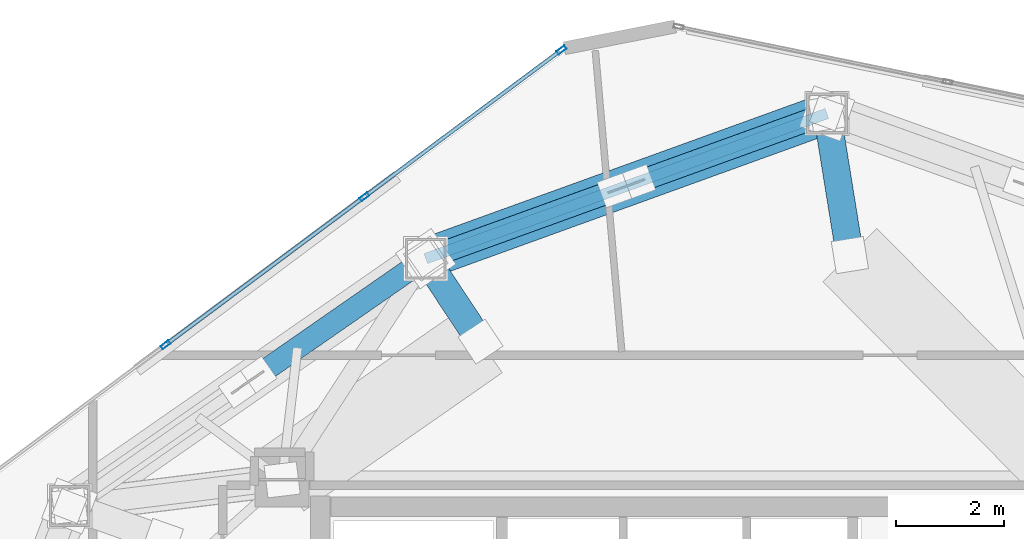
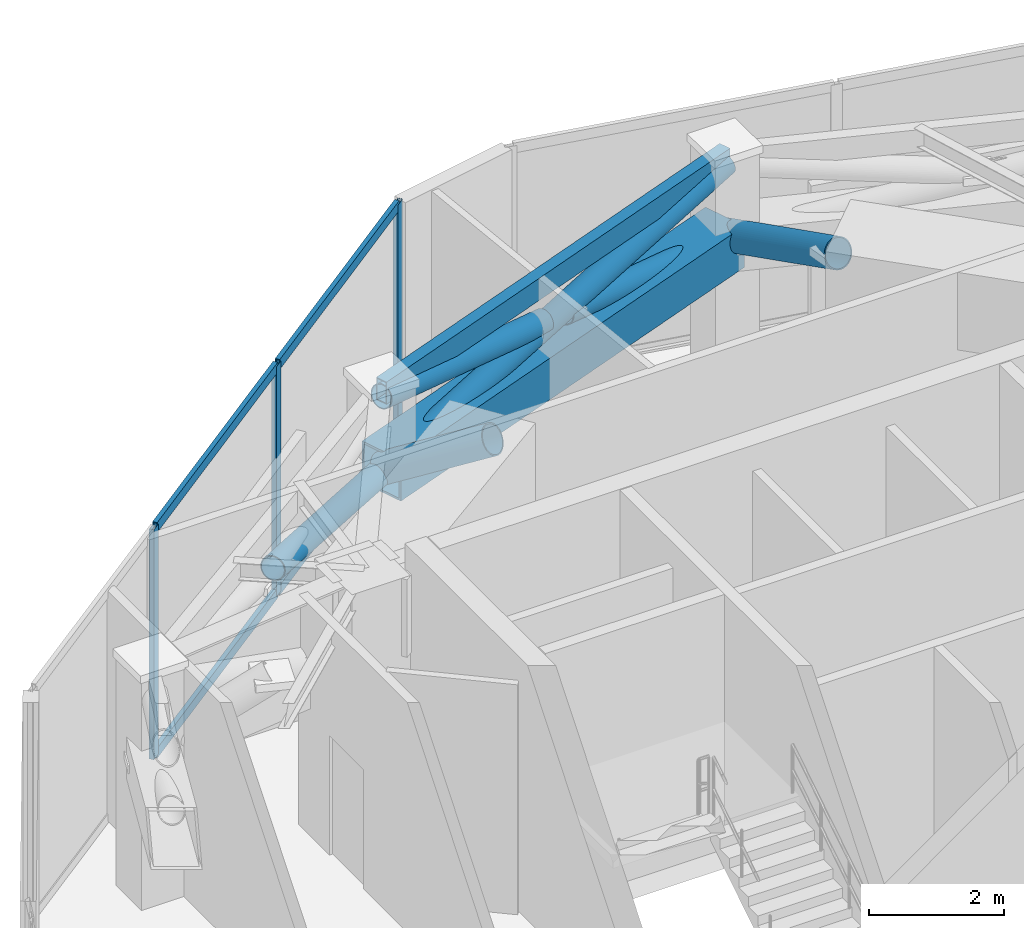
# One storey, part 12 of 19: 14 members, 1 beam, 1 element without a shape of its own.
"""IFC4 building model written with IfcOpenShell, lengths in metres."""

from ifc_helpers import new_model, si_unit, direction, frame, origin, origin_2d, place, context, subcontext, project, spatial, hollow_rectangle, hollow_circle, extrude, source, transform, mapped, material, layer, layer_set, material_profile, profile_set, type_object, type_shapes, element, aggregate, save


model = new_model("IFC4")

# Units and contexts
model_context = context("Model", 3, precision=1e-05, world=origin(), true_north=direction((0.0, 1.0)))
body_context = subcontext(model_context, "Body", "Model", "MODEL_VIEW")
ifc_project = project(units=[si_unit("LENGTHUNIT", "METRE"), si_unit("AREAUNIT", "SQUARE_METRE"), si_unit("VOLUMEUNIT", "CUBIC_METRE"), si_unit("PLANEANGLEUNIT", "RADIAN"), si_unit("MASSUNIT", "GRAM", prefix="KILO")], contexts=[model_context])

# Site, building, storey
site_placement = place(None, origin())
site = spatial("IfcSite", under=ifc_project, at=site_placement, CompositionType="ELEMENT")
building_placement = place(site_placement, origin())
building = spatial("IfcBuilding", under=site, at=building_placement, Name="Talar Marvaseh", CompositionType="ELEMENT")
storey_placement = place(building_placement, frame((0.0, 0.0, 236.199951171875)))
storey = spatial("IfcBuildingStorey", under=building, at=storey_placement, Name="L62", CompositionType="ELEMENT", Elevation=236.199951171875)

# Beam
ifc_material_1 = material(Name="Steel S355", Category="steel")
ifc_material_profile_1 = material_profile(ifc_material_1, hollow_rectangle(XDim=0.199951171875, YDim=0.39990234375, WallThickness=0.013916015625, at=origin_2d()), Name="RHS400x200x14")
ifc_profile_set_1 = profile_set([ifc_material_profile_1], Name="Steel S355")
beam_type = type_object("IfcBeamType", Name="Zone 3 Perimeter Spandrel Beam RHS400x200x14", PredefinedType="SPANDREL", material=ifc_profile_set_1)
beam_placement = place(storey_placement, frame((21.35205078125, 40.986083984375, 3.949951171875), z_axis=(0.940368006783, 0.340158803824, 0.0), x_axis=(-0.340158803824, 0.940368006783, 0.0)))
element("IfcBeam", 1, at=beam_placement, inside=storey, type_object=beam_type, Name="L62 Zone 3 Perimeter Spandrel Beam RHS400x200x14", PredefinedType="SPANDREL", context=body_context, shape_type="SweptSolid", body=[
    extrude(hollow_rectangle(XDim=0.199951171875, YDim=0.39990234375, WallThickness=0.013916015625, at=origin_2d()), origin(), (0.0, 0.0, 1.0), 7.88427734375),
])

# Members
ifc_material_2 = material(Name="Steel S460", Category="steel")
ifc_material_profile_2 = material_profile(ifc_material_2, hollow_circle(Radius=0.25390625, WallThickness=0.02001953125, at=origin_2d()), Name="CHS508x20")
ifc_profile_set_2 = profile_set([ifc_material_profile_2], Name="Steel S460")
member_type_1 = type_object("IfcMemberType", Name="Crown Frame Diagonal Brace CHS508x20", PredefinedType="BRACE", material=ifc_profile_set_2)
shared_shape_1 = source(origin(), body_context, "Body", "SweptSolid", [
    extrude(hollow_circle(Radius=0.25390625, WallThickness=0.02001953125, at=origin_2d()), origin(), (0.0, 0.0, 1.0), 2.140869140625),
])
member_1_placement = place(storey_placement, frame((21.35205078125, 40.986083984375, 2.550048828125), z_axis=(0.473148641914, -0.715595981685, 0.51386063641), x_axis=(0.834150761994, 0.551536495859, 0.0)))
element("IfcMember", 2, at=member_1_placement, inside=storey, type_object=member_type_1, Name="L62 Setback Transfer Raked Strut 4", PredefinedType="BRACE", context=body_context, shape_type="MappedRepresentation", body=[
    mapped(shared_shape_1, transform((0.0, 0.0, 0.0), x_axis=(1.0, 0.0, 0.0), y_axis=(0.0, 1.0, 0.0), z_axis=(0.0, 0.0, 1.0), scale=1.0)),
])
shared_shape_2 = source(origin(), body_context, "Body", "SweptSolid", [
    extrude(hollow_circle(Radius=0.25390625, WallThickness=0.02001953125, at=origin_2d()), origin(), (0.0, 0.0, 1.0), 2.869140625),
])
type_shapes(member_type_1, [shared_shape_1, shared_shape_2])
member_2_placement = place(storey_placement, frame((28.76611328125, 43.66796875, 2.550048828125), z_axis=(0.147043198591, -0.911786963485, 0.383435562992), x_axis=(0.987244391076, 0.159212161249, 0.0)))
element("IfcMember", 3, at=member_2_placement, inside=storey, type_object=member_type_1, Name="L62 Setback Transfer Raked Strut 5", PredefinedType="BRACE", context=body_context, shape_type="MappedRepresentation", body=[
    mapped(shared_shape_2, transform((0.0, 0.0, 0.0), x_axis=(1.0, 0.0, 0.0), y_axis=(0.0, 1.0, 0.0), z_axis=(0.0, 0.0, 1.0), scale=1.0)),
])
ifc_material_profile_3 = material_profile(ifc_material_2, hollow_rectangle(XDim=0.75, YDim=0.75, WallThickness=0.0400390625, at=origin_2d()), Name="BOX750x750x40")
ifc_profile_set_3 = profile_set([ifc_material_profile_3], Name="Steel S460")
member_type_2 = type_object("IfcMemberType", Name="Belt Truss Chord Member BOX750x750x40", PredefinedType="CHORD", material=ifc_profile_set_3)
shared_shape_3 = source(origin(), body_context, "Body", "SweptSolid", [
    extrude(hollow_rectangle(XDim=0.75, YDim=0.75, WallThickness=0.0400390625, at=origin_2d()), origin(), (0.0, 0.0, 1.0), 7.88427734375),
])
type_shapes(member_type_2, [shared_shape_3])
member_3_placement = place(storey_placement, frame((21.35205078125, 40.986083984375, 2.5), z_axis=(0.940368006783, 0.340158803824, 0.0), x_axis=(-0.340158803824, 0.940368006783, 0.0)))
element("IfcMember", 4, at=member_3_placement, inside=storey, type_object=member_type_2, Name="L62 Belt Truss Bottom Chord 12", PredefinedType="CHORD", context=body_context, shape_type="MappedRepresentation", body=[
    mapped(shared_shape_3, transform((0.0, 0.0, 0.0), x_axis=(1.0, 0.0, 0.0), y_axis=(0.0, 1.0, 0.0), z_axis=(0.0, 0.0, 1.0), scale=1.0)),
])
ifc_material_profile_4 = material_profile(ifc_material_2, hollow_circle(Radius=0.203125, WallThickness=0.01611328125, at=origin_2d()), Name="CHS406x16")
ifc_profile_set_4 = profile_set([ifc_material_profile_4], Name="Steel S460")
member_type_3 = type_object("IfcMemberType", Name="Belt Truss Diagonal Brace CHS406x16", PredefinedType="BRACE", material=ifc_profile_set_4)
shared_shape_4 = source(origin(), body_context, "Body", "SweptSolid", [
    extrude(hollow_circle(Radius=0.203125, WallThickness=0.01611328125, at=origin_2d()), origin(), (0.0, 0.0, 1.0), 7.9990234375),
])
member_4_placement = place(storey_placement, frame((21.35205078125, 40.986083984375, 2.5), z_axis=(0.926876631714, 0.335278576112, 0.16878384396), x_axis=(-0.340158803824, 0.940368006783, 0.0)))
element("IfcMember", 5, at=member_4_placement, inside=storey, type_object=member_type_3, Name="L62 Belt Truss Continuous Diagonal 12", PredefinedType="BRACE", context=body_context, shape_type="MappedRepresentation", body=[
    mapped(shared_shape_4, transform((0.0, 0.0, 0.0), x_axis=(1.0, 0.0, 0.0), y_axis=(0.0, 1.0, 0.0), z_axis=(0.0, 0.0, 1.0), scale=1.0)),
])
shared_shape_5 = source(origin(), body_context, "Body", "SweptSolid", [
    extrude(hollow_circle(Radius=0.203125, WallThickness=0.01611328125, at=origin_2d()), origin(), (0.0, 0.0, 1.0), 3.759521484375),
])
for number, where, z_axis, x_axis, name in (
    (6, (28.76611328125, 43.66796875, 2.5), (-0.926877004575, -0.33528101833, 0.168776944923), (0.340160873884, -0.940367257979, 0.0), "L62 Belt Truss Split Diagonal Lower 12"),
    (7, (24.836669921875, 42.24658203125, 3.215576171875), (-0.926877004575, -0.33528101833, 0.168776944923), (0.340160873884, -0.940367257979, 0.0), "L62 Belt Truss Split Diagonal Upper 12"),
):
    element("IfcMember", number, at=place(storey_placement, frame(where, z_axis=z_axis, x_axis=x_axis)), inside=storey, type_object=member_type_3, Name=name, PredefinedType="BRACE", context=body_context, shape_type="MappedRepresentation", body=[
        mapped(shared_shape_5, transform((0.0, 0.0, 0.0), x_axis=(1.0, 0.0, 0.0), y_axis=(0.0, 1.0, 0.0), z_axis=(0.0, 0.0, 1.0), scale=1.0)),
    ])
shared_shape_6 = source(origin(), body_context, "Body", "SweptSolid", [
    extrude(hollow_circle(Radius=0.203125, WallThickness=0.01611328125, at=origin_2d()), origin(), (0.0, 0.0, 1.0), 3.822021484375),
])
type_shapes(member_type_3, [shared_shape_4, shared_shape_5, shared_shape_6])
member_5_placement = place(storey_placement, frame((21.35205078125, 40.986083984375, 2.5), z_axis=(-0.809859728948, -0.562583580442, 0.166213520644), x_axis=(0.570519630741, -0.821283964862, 0.0)))
element("IfcMember", 8, at=member_5_placement, inside=storey, type_object=member_type_3, Name="L62 Belt Truss Split Diagonal Lower 11", PredefinedType="BRACE", context=body_context, shape_type="MappedRepresentation", body=[
    mapped(shared_shape_6, transform((0.0, 0.0, 0.0), x_axis=(1.0, 0.0, 0.0), y_axis=(0.0, 1.0, 0.0), z_axis=(0.0, 0.0, 1.0), scale=1.0)),
])

# Curtain wall, members
ifc_material_3 = material(Name="Architectural Aluminium", Category="aluminium")
ifc_layer = layer(ifc_material_3, 0.18994140625)
ifc_layer_set = layer_set([ifc_layer], Name="Architectural Aluminium")
curtain_wall_type = type_object("IfcCurtainWallType", Name="Unitised Solar Atelier Curtain Wall Z3", PredefinedType="NOTDEFINED", material=ifc_layer_set)
curtain_wall_placement = place(storey_placement, origin())
curtain_wall = element("IfcCurtainWall", 9, at=curtain_wall_placement, inside=storey, type_object=curtain_wall_type, Name="L62 Unitised Solar Atelier Curtain Wall Z3", PredefinedType="NOTDEFINED")
ifc_material_profile_5 = material_profile(ifc_material_3, hollow_rectangle(XDim=0.074951171875, YDim=0.179931640625, WallThickness=0.0048828125, at=origin_2d()), Name="RHS180x75x5")
ifc_profile_set_5 = profile_set([ifc_material_profile_5], Name="Architectural Aluminium")
member_type_4 = type_object("IfcMemberType", Name="Unitised Curtain Wall Standard Mullion RHS180x75x5", PredefinedType="MULLION", material=ifc_profile_set_5)
shared_shape_7 = source(origin(), body_context, "Body", "SweptSolid", [
    extrude(hollow_rectangle(XDim=0.074951171875, YDim=0.179931640625, WallThickness=0.0048828125, at=origin_2d()), origin(), (0.0, 0.0, 1.0), 4.150146484375),
])
type_shapes(member_type_4, [shared_shape_7])
member_6_placement = place(storey_placement, frame((16.548583984375, 39.39501953125, 0.0), z_axis=(0.0, 0.0, 1.0), x_axis=(-0.597376277836, 0.801961085514, 0.0)))
member_6 = element("IfcMember", 10, at=member_6_placement, type_object=member_type_4, Name="CW-Z3 mullion 2", PredefinedType="MULLION", context=body_context, shape_type="MappedRepresentation", body=[
    mapped(shared_shape_7, transform((0.0, 0.0, 0.0), x_axis=(1.0, 0.0, 0.0), y_axis=(0.0, 1.0, 0.0), z_axis=(0.0, 0.0, 1.0), scale=1.0)),
])
member_7_placement = place(storey_placement, frame((20.21923828125, 42.12939453125, 0.0), z_axis=(0.0, 0.0, 1.0), x_axis=(-0.597376277836, 0.801961085514, 0.0)))
member_7 = element("IfcMember", 11, at=member_7_placement, type_object=member_type_4, Name="CW-Z3 mullion 3", PredefinedType="MULLION", context=body_context, shape_type="MappedRepresentation", body=[
    mapped(shared_shape_7, transform((0.0, 0.0, 0.0), x_axis=(1.0, 0.0, 0.0), y_axis=(0.0, 1.0, 0.0), z_axis=(0.0, 0.0, 1.0), scale=1.0)),
])
member_8_placement = place(storey_placement, frame((23.860107421875, 44.84130859375, 0.0), z_axis=(0.0, 0.0, 1.0), x_axis=(-0.597376277836, 0.801961085514, 0.0)))
member_8 = element("IfcMember", 12, at=member_8_placement, type_object=member_type_4, Name="CW-Z3 mullion 4", PredefinedType="MULLION", context=body_context, shape_type="MappedRepresentation", body=[
    mapped(shared_shape_7, transform((0.0, 0.0, 0.0), x_axis=(1.0, 0.0, 0.0), y_axis=(0.0, 1.0, 0.0), z_axis=(0.0, 0.0, 1.0), scale=1.0)),
])
ifc_material_profile_6 = material_profile(ifc_material_3, hollow_rectangle(XDim=0.074951171875, YDim=0.179931640625, WallThickness=0.0048828125, at=origin_2d()), Name="RHS180x75x5")
ifc_profile_set_6 = profile_set([ifc_material_profile_6], Name="Architectural Aluminium")
member_type_5 = type_object("IfcMemberType", Name="Unitised Curtain Wall Transom RHS180x75x5", PredefinedType="USERDEFINED", material=ifc_profile_set_6)
shared_shape_8 = source(origin(), body_context, "Body", "SweptSolid", [
    extrude(hollow_rectangle(XDim=0.074951171875, YDim=0.179931640625, WallThickness=0.0048828125, at=origin_2d()), origin(), (0.0, 0.0, 1.0), 4.502197265625),
])
member_9_placement = place(storey_placement, frame((16.57861328125, 39.41748046875, 0.03759765625), z_axis=(0.80196738466, 0.597367821314, 0.0), x_axis=(-0.597367821314, 0.80196738466, 0.0)))
member_9 = element("IfcMember", 13, at=member_9_placement, type_object=member_type_5, Name="CW-Z3 transom 2.1", ObjectType="TRANSOM", PredefinedType="USERDEFINED", context=body_context, shape_type="MappedRepresentation", body=[
    mapped(shared_shape_8, transform((0.0, 0.0, 0.0), x_axis=(1.0, 0.0, 0.0), y_axis=(0.0, 1.0, 0.0), z_axis=(0.0, 0.0, 1.0), scale=1.0)),
])
member_10_placement = place(storey_placement, frame((16.57861328125, 39.41748046875, 4.112548828125), z_axis=(0.80196738466, 0.597367821314, 0.0), x_axis=(-0.597367821314, 0.80196738466, 0.0)))
member_10 = element("IfcMember", 14, at=member_10_placement, type_object=member_type_5, Name="CW-Z3 transom 2.2", ObjectType="TRANSOM", PredefinedType="USERDEFINED", context=body_context, shape_type="MappedRepresentation", body=[
    mapped(shared_shape_8, transform((0.0, 0.0, 0.0), x_axis=(1.0, 0.0, 0.0), y_axis=(0.0, 1.0, 0.0), z_axis=(0.0, 0.0, 1.0), scale=1.0)),
])
shared_shape_9 = source(origin(), body_context, "Body", "SweptSolid", [
    extrude(hollow_rectangle(XDim=0.074951171875, YDim=0.179931640625, WallThickness=0.0048828125, at=origin_2d()), origin(), (0.0, 0.0, 1.0), 4.46435546875),
])
type_shapes(member_type_5, [shared_shape_8, shared_shape_9])
member_11_placement = place(storey_placement, frame((20.24951171875, 42.15185546875, 0.03759765625), z_axis=(0.801957825807, 0.597380653878, 0.0), x_axis=(-0.597380653878, 0.801957825807, 0.0)))
member_11 = element("IfcMember", 15, at=member_11_placement, type_object=member_type_5, Name="CW-Z3 transom 3.1", ObjectType="TRANSOM", PredefinedType="USERDEFINED", context=body_context, shape_type="MappedRepresentation", body=[
    mapped(shared_shape_9, transform((0.0, 0.0, 0.0), x_axis=(1.0, 0.0, 0.0), y_axis=(0.0, 1.0, 0.0), z_axis=(0.0, 0.0, 1.0), scale=1.0)),
])
member_12_placement = place(storey_placement, frame((20.24951171875, 42.15185546875, 4.112548828125), z_axis=(0.801957825807, 0.597380653878, 0.0), x_axis=(-0.597380653878, 0.801957825807, 0.0)))
member_12 = element("IfcMember", 16, at=member_12_placement, type_object=member_type_5, Name="CW-Z3 transom 3.2", ObjectType="TRANSOM", PredefinedType="USERDEFINED", context=body_context, shape_type="MappedRepresentation", body=[
    mapped(shared_shape_9, transform((0.0, 0.0, 0.0), x_axis=(1.0, 0.0, 0.0), y_axis=(0.0, 1.0, 0.0), z_axis=(0.0, 0.0, 1.0), scale=1.0)),
])
aggregate(curtain_wall, [member_6, member_7, member_8, member_9, member_10, member_11, member_12])

save(model, "model.ifc")
